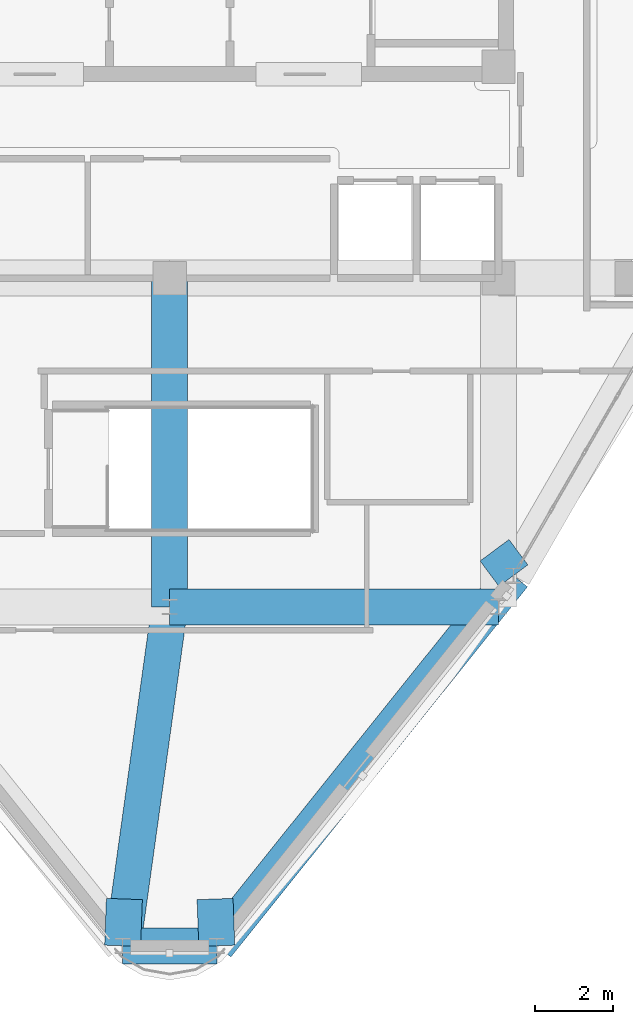
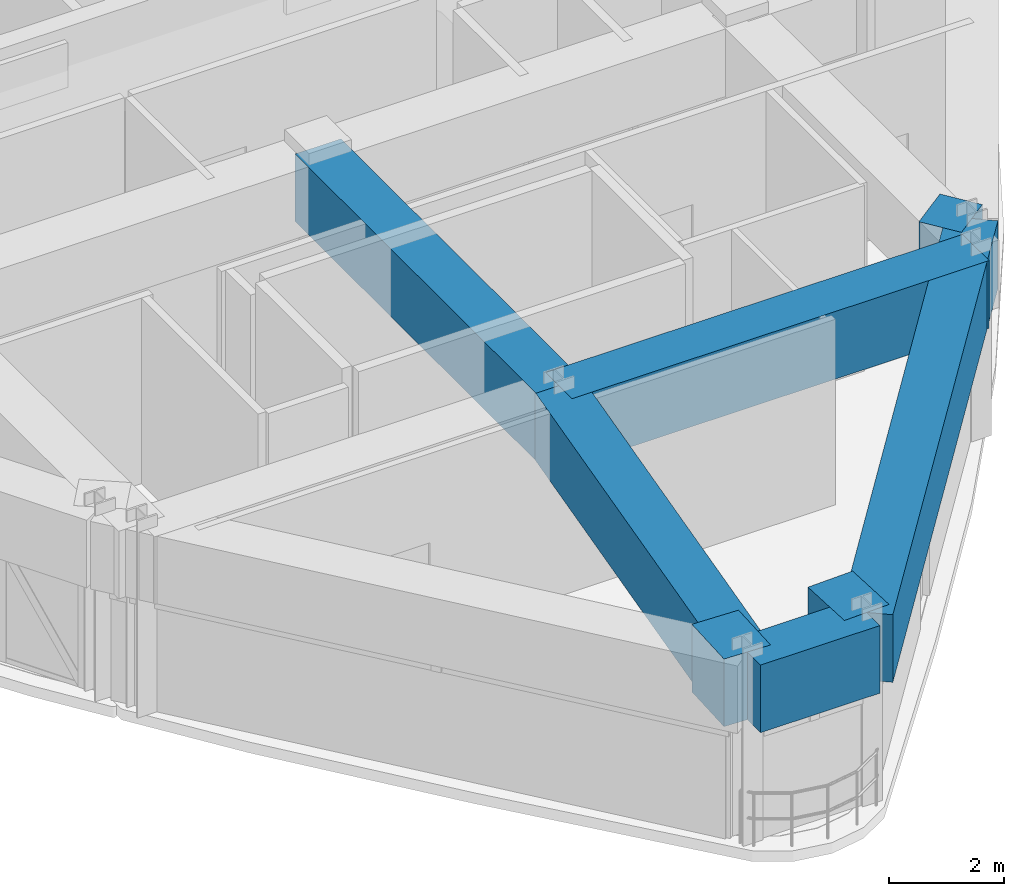
# One storey, part 3 of 16: 8 beams.
"""IFC4 building model written with IfcOpenShell, lengths in metres."""

from ifc_helpers import new_model, si_unit, derived_unit, direction, frame, origin, origin_2d, place, context, subcontext, project, spatial, rectangle, extrude, source, transform, mapped, material, material_profile, profile_set, type_object, element, save


model = new_model("IFC4")

# Units and contexts
model_context = context("Model", 3, precision=1e-05, world=origin(), true_north=direction((0.0, 1.0)))
body_context = subcontext(model_context, "Body", "Model", "MODEL_VIEW")
ifc_project = project(units=[si_unit("LENGTHUNIT", "METRE"), si_unit("AREAUNIT", "SQUARE_METRE"), si_unit("VOLUMEUNIT", "CUBIC_METRE"), si_unit("PLANEANGLEUNIT", "RADIAN"), si_unit("MASSUNIT", "GRAM", prefix="KILO"), derived_unit("THERMALTRANSMITTANCEUNIT", [(si_unit("POWERUNIT", "WATT"), 1), (si_unit("LENGTHUNIT", "METRE"), -2), (si_unit("THERMODYNAMICTEMPERATUREUNIT", "KELVIN"), -1)])], contexts=[model_context])

# Site, building, storey
site_placement = place(None, origin())
site = spatial("IfcSite", under=ifc_project, at=site_placement, CompositionType="ELEMENT")
building_placement = place(site_placement, origin())
building = spatial("IfcBuilding", under=site, at=building_placement, Name="Korsvarv Bourse and Concert Hall", CompositionType="ELEMENT")
storey_placement = place(building_placement, frame((0.0, 0.0, 288.0)))
storey = spatial("IfcBuildingStorey", under=building, at=storey_placement, Name="L75", CompositionType="ELEMENT", Elevation=288.0)

# Beams
ifc_material = material(Name="Concrete C50/60", Category="concrete")
ifc_material_profile = material_profile(ifc_material, rectangle(XDim=0.919921875, YDim=1.43994140625, at=origin_2d()), Name="RC-BM 920x1440")
ifc_profile_set = profile_set([ifc_material_profile], Name="Concrete C50/60")
beam_type = type_object("IfcBeamType", Name="BM-TR-144", PredefinedType="BEAM", material=ifc_profile_set)
shared_shape_1 = source(origin(), body_context, "Body", "SweptSolid", [
    extrude(rectangle(XDim=0.919921875, YDim=1.43994140625, at=origin_2d()), origin(), (0.0, 0.0, 1.0), 8.39990234375),
])
for number, where, z_axis, x_axis, name in (
    (1, (36.0, 24.0, 3.22998046875), (1.0, 0.0, 0.0), (0.0, 1.0, 0.0), "L75 beam B-TR4"),
    (2, (36.0, 24.0, 3.22998046875), (0.0, 1.0, 0.0), (-1.0, 0.0, 0.0), "L75 beam B-TR4"),
):
    element("IfcBeam", number, at=place(storey_placement, frame(where, z_axis=z_axis, x_axis=x_axis)), inside=storey, type_object=beam_type, Name=name, PredefinedType="BEAM", context=body_context, shape_type="MappedRepresentation", body=[
        mapped(shared_shape_1, transform((0.0, 0.0, 0.0), scale=1.0)),
    ])
shared_shape_2 = source(origin(), body_context, "Body", "SweptSolid", [
    extrude(rectangle(XDim=0.919921875, YDim=1.43994140625, at=origin_2d()), origin(), (0.0, 0.0, 1.0), 2.40576171875),
])
beam_1_placement = place(storey_placement, frame((34.797119140625, 15.34228515625, 3.22998046875), z_axis=(1.0, 0.0, 0.0), x_axis=(0.0, 1.0, 0.0)))
element("IfcBeam", 3, at=beam_1_placement, inside=storey, type_object=beam_type, Name="L75 beam B-TR4", PredefinedType="BEAM", context=body_context, shape_type="MappedRepresentation", body=[
    mapped(shared_shape_2, transform((0.0, 0.0, 0.0), scale=1.0)),
])
shared_shape_3 = source(origin(), body_context, "Body", "SweptSolid", [
    extrude(rectangle(XDim=0.919921875, YDim=1.43994140625, at=origin_2d()), origin(), (0.0, 0.0, 1.0), 12.117919921875),
])
beam_2_placement = place(storey_placement, frame((37.202880859375, 15.34228515625, 3.22998046875), z_axis=(0.625262438547, 0.780414558387, 0.0), x_axis=(-0.780414558387, 0.625262438547, 0.0)))
element("IfcBeam", 4, at=beam_2_placement, inside=storey, type_object=beam_type, Name="L75 beam B-TR4", PredefinedType="BEAM", context=body_context, shape_type="MappedRepresentation", body=[
    mapped(shared_shape_3, transform((0.0, 0.0, 0.0), scale=1.0)),
])
shared_shape_4 = source(origin(), body_context, "Body", "SweptSolid", [
    extrude(rectangle(XDim=0.919921875, YDim=1.43994140625, at=origin_2d()), origin(), (0.0, 0.0, 1.0), 8.740966796875),
])
beam_3_placement = place(storey_placement, frame((34.797119140625, 15.34228515625, 3.22998046875), z_axis=(0.137615563986, 0.990485717489, 0.0), x_axis=(-0.990485717489, 0.137615563986, 0.0)))
element("IfcBeam", 5, at=beam_3_placement, inside=storey, type_object=beam_type, Name="L75 beam B-TR4", PredefinedType="BEAM", context=body_context, shape_type="MappedRepresentation", body=[
    mapped(shared_shape_4, transform((0.0, 0.0, 0.0), scale=1.0)),
])
shared_shape_5 = source(origin(), body_context, "Body", "SweptSolid", [
    extrude(rectangle(XDim=0.919921875, YDim=1.43994140625, at=origin_2d()), origin(), (0.0, 0.0, 1.0), 1.197265625),
])
for number, where, z_axis, x_axis, name in (
    (6, (34.797119140625, 15.34228515625, 3.22998046875), (0.037109699656, 0.999311197872, 0.0), (-0.999311197872, 0.037109699656, 0.0), "L75 beam B-TR4"),
    (7, (37.202880859375, 15.34228515625, 3.22998046875), (-0.037109699656, 0.999311197872, 0.0), (-0.999311197872, -0.037109699656, 0.0), "L75 beam B-TR4"),
):
    element("IfcBeam", number, at=place(storey_placement, frame(where, z_axis=z_axis, x_axis=x_axis)), inside=storey, type_object=beam_type, Name=name, PredefinedType="BEAM", context=body_context, shape_type="MappedRepresentation", body=[
        mapped(shared_shape_5, transform((0.0, 0.0, 0.0), scale=1.0)),
    ])
shared_shape_6 = source(origin(), body_context, "Body", "SweptSolid", [
    extrude(rectangle(XDim=0.919921875, YDim=1.43994140625, at=origin_2d()), origin(), (0.0, 0.0, 1.0), 0.80859375),
])
beam_4_placement = place(storey_placement, frame((44.77978515625, 24.79931640625, 3.22998046875), z_axis=(-0.596079351638, 0.802925529891, 0.0), x_axis=(-0.802925529891, -0.596079351638, 0.0)))
element("IfcBeam", 8, at=beam_4_placement, inside=storey, type_object=beam_type, Name="L75 beam B-TR4", PredefinedType="BEAM", context=body_context, shape_type="MappedRepresentation", body=[
    mapped(shared_shape_6, transform((0.0, 0.0, 0.0), scale=1.0)),
])

save(model, "model.ifc")
